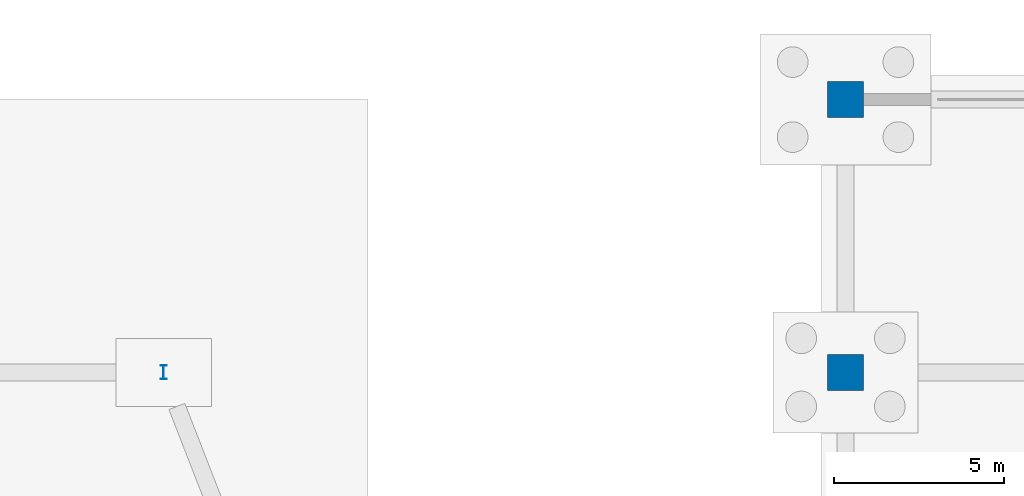
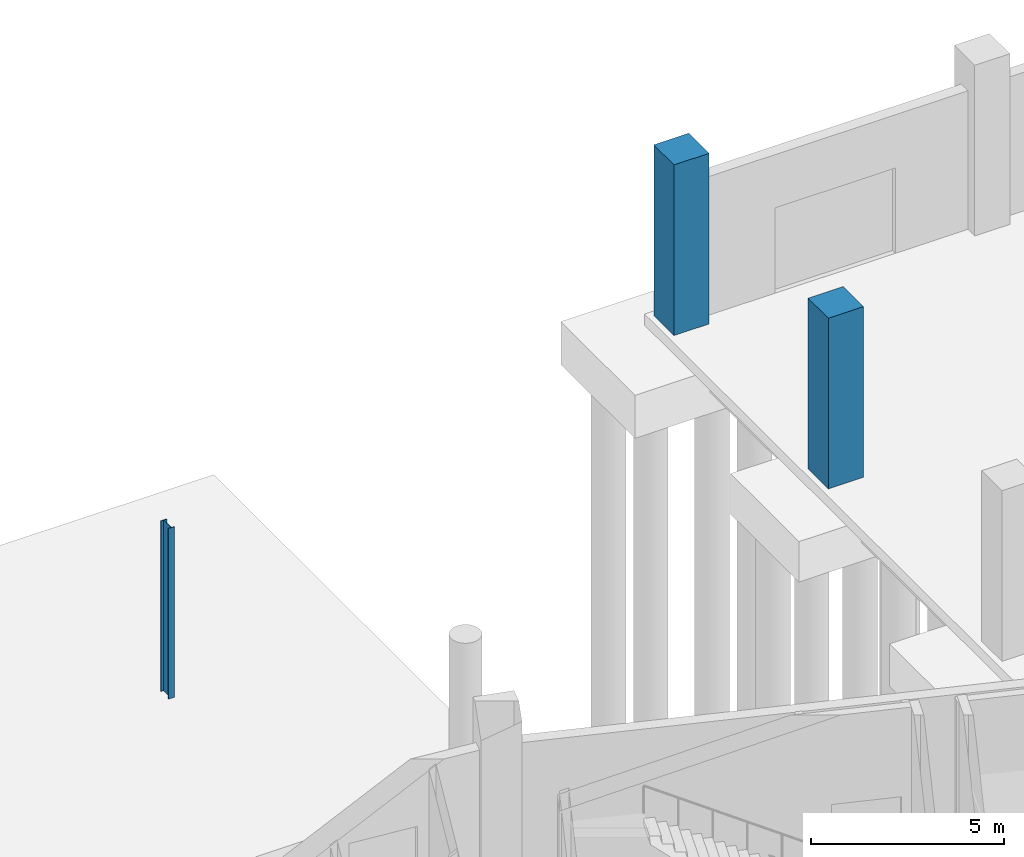
# One storey, part 25 of 103: 3 columns.
"""IFC4 building model written with IfcOpenShell, lengths in metres."""

import ifcopenshell
import ifcopenshell.guid

model = None  # the IFC model being written
_history = None  # IfcOwnerHistory: only IFC2X3 demands one
_inside = {}  # id of a spatial element -> (the spatial element, [elements in it])
_under = {}  # id of a project, library or spatial element -> (it, [spatial elements below it])
_declared = {}  # id of a project -> (the project, [libraries it declares])
_typed = {}  # id of a type object -> (the type object, [elements of that type])
_made_of = {}  # id of a material, layer set ... -> (it, [elements and type objects made of it])


def new_model(schema):
    """Start an empty IFC model of exactly this schema.

    Asked for "IFC4X3", IfcOpenShell would pick the latest addendum, in which some entities
    have other attributes; the version numbers below select the first issue.
    IFC2X3 requires an IfcOwnerHistory on every rooted entity: one is made here for all.
    """
    global model, _history
    if schema == "IFC4X3":
        model = ifcopenshell.file(schema_version=(4, 3, 0, 0))
    else:
        model = ifcopenshell.file(schema=schema)
    _inside.clear()
    _under.clear()
    _declared.clear()
    _typed.clear()
    _made_of.clear()
    _history = None
    if model.schema == "IFC2X3":
        org = make("IfcOrganization", Name="unknown")
        user = make(
            "IfcPersonAndOrganization",
            ThePerson=make("IfcPerson", FamilyName="unknown"),
            TheOrganization=org,
        )
        app = make(
            "IfcApplication",
            ApplicationDeveloper=org,
            Version="unknown",
            ApplicationFullName="unknown",
            ApplicationIdentifier="unknown",
        )
        _history = make(
            "IfcOwnerHistory",
            OwningUser=user,
            OwningApplication=app,
            ChangeAction="ADDED",
            CreationDate=0,
        )
    return model


def make(cls, **values):
    """One entity of the class cls with the attributes given. An attribute that is None is left unset."""
    return model.create_entity(
        cls, **{name: value for name, value in values.items() if value is not None}
    )


def rooted(cls, **values):
    """An entity with a GlobalId (a new one), such as an element, a storey or a relation."""
    return make(cls, GlobalId=ifcopenshell.guid.new(), OwnerHistory=_history, **values)


def si_unit(unit_type, name, prefix=None):
    """IfcSIUnit, for example si_unit("LENGTHUNIT", "METRE", prefix="MILLI")."""
    return make("IfcSIUnit", UnitType=unit_type, Prefix=prefix, Name=name)


def assignment(units):
    """IfcUnitAssignment: the units of a project."""
    return None if units is None else make("IfcUnitAssignment", Units=units)


def point(xyz):
    """IfcCartesianPoint."""
    return None if xyz is None else make("IfcCartesianPoint", Coordinates=xyz)


def direction(xyz):
    """IfcDirection."""
    return None if xyz is None else make("IfcDirection", DirectionRatios=xyz)


def frame(location, z_axis=None, x_axis=None):
    """IfcAxis2Placement3D, a coordinate frame: its origin and axes. An axis left out is left unset."""
    return make(
        "IfcAxis2Placement3D",
        Location=point(location),
        Axis=direction(z_axis),
        RefDirection=direction(x_axis),
    )


def frame_2d(location, x_axis=None):
    """IfcAxis2Placement2D, a coordinate frame in the plane: its origin and x axis."""
    return make(
        "IfcAxis2Placement2D", Location=point(location), RefDirection=direction(x_axis)
    )


def origin():
    """The frame at (0, 0, 0) with its axes left unset."""
    return frame((0.0, 0.0, 0.0))


def origin_2d():
    """The frame at (0, 0) in the plane with its x axis left unset."""
    return frame_2d((0.0, 0.0))


def place(relative_to, where):
    """IfcLocalPlacement: puts the frame where relative to a parent placement (None: the world)."""
    return make(
        "IfcLocalPlacement", PlacementRelTo=relative_to, RelativePlacement=where
    )


def context(
    kind, dimensions, precision=None, world=None, true_north=None, identifier=None
):
    """IfcGeometricRepresentationContext, for example the 3D "Model" context."""
    return make(
        "IfcGeometricRepresentationContext",
        ContextIdentifier=identifier,
        ContextType=kind,
        CoordinateSpaceDimension=dimensions,
        Precision=precision,
        WorldCoordinateSystem=world,
        TrueNorth=true_north,
    )


def subcontext(parent, identifier, kind, view, scale=None):
    """IfcGeometricRepresentationSubContext, for example "Body" below "Model"."""
    return make(
        "IfcGeometricRepresentationSubContext",
        ContextIdentifier=identifier,
        ContextType=kind,
        ParentContext=parent,
        TargetScale=scale,
        TargetView=view,
    )


def project(units=None, contexts=None):
    """IfcProject with its units and contexts."""
    return rooted(
        "IfcProject",
        Name="project",
        RepresentationContexts=contexts,
        UnitsInContext=assignment(units),
    )


def spatial(cls, under=None, at=None, **own):
    """A site, building, storey or space (cls), placed at a placement, below another one or the project."""
    s = rooted(cls, ObjectPlacement=at, **own)
    if under is not None:
        _under.setdefault(under.id(), (under, []))[1].append(s)
    return s


def profile(cls, at=None, kind="AREA", **sizes):
    """A parametric profile (cls). Its sizes go by their IFC names, for example OverallWidth=200.0."""
    return make(cls, ProfileType=kind, Position=at, **sizes)


def rectangle(**sizes):
    """IfcRectangleProfileDef."""
    return profile("IfcRectangleProfileDef", **sizes)


def i_section(**sizes):
    """IfcIShapeProfileDef."""
    return profile("IfcIShapeProfileDef", **sizes)


def extrude(swept, where, along, depth):
    """IfcExtrudedAreaSolid: the profile swept, set in the frame where, extruded along a direction by depth."""
    return make(
        "IfcExtrudedAreaSolid",
        SweptArea=swept,
        Position=where,
        ExtrudedDirection=direction(along),
        Depth=depth,
    )


def shape(context_of_items, identifier, shape_type, items):
    """IfcShapeRepresentation: the items that make up one representation, for example the "Body"."""
    return make(
        "IfcShapeRepresentation",
        ContextOfItems=context_of_items,
        RepresentationIdentifier=identifier,
        RepresentationType=shape_type,
        Items=items,
    )


def material(Name=None, Category=None):
    """IfcMaterial."""
    return make("IfcMaterial", Name=Name, Category=Category)


def material_profile(
    of_material, cross_section, Name=None, Category=None, Priority=None
):
    """IfcMaterialProfile: a cross section and its material."""
    return make(
        "IfcMaterialProfile",
        Name=Name,
        Material=of_material,
        Profile=cross_section,
        Priority=Priority,
        Category=Category,
    )


def profile_set(profiles, Name=None, composite=None):
    """IfcMaterialProfileSet."""
    return make(
        "IfcMaterialProfileSet",
        Name=Name,
        MaterialProfiles=profiles,
        CompositeProfile=composite,
    )


def made_of(thing, what):
    """Note that an element or type object is made of a material, layer set ...; save() writes the relation."""
    if what is not None:
        _made_of.setdefault(what.id(), (what, []))[1].append(thing)
    return thing


def type_object(cls, material=None, **own):
    """A type object (cls), such as IfcWallType, which elements share."""
    return made_of(rooted(cls, **own), material)


def element(
    cls,
    number,
    at=None,
    inside=None,
    cuts=None,
    type_object=None,
    material=None,
    context=None,
    identifier="Body",
    shape_type=None,
    held_by="IfcProductDefinitionShape",
    body=None,
    shapes=None,
    **own,
):
    """One element of the class cls, such as IfcWall. Its Tag is "e" and its number.

    at: its placement. inside: the storey or other place that contains it. cuts: it is an
    opening in that element (IfcRelVoidsElement). A single representation is given by context,
    identifier, shape_type and body (its items); several are given by shapes. held_by: the class
    of the entity that holds the representations. save() writes the other relations.
    """
    e = rooted(cls, Tag="e%d" % number, ObjectPlacement=at, **own)
    if body is not None:
        shapes = [shape(context, identifier, shape_type, body)]
    if shapes is not None:
        e.Representation = make(held_by, Representations=shapes)
    if inside is not None:
        _inside.setdefault(inside.id(), (inside, []))[1].append(e)
    if cuts is not None:
        rooted(
            "IfcRelVoidsElement", RelatingBuildingElement=cuts, RelatedOpeningElement=e
        )
    if type_object is not None:
        _typed.setdefault(type_object.id(), (type_object, []))[1].append(e)
    return made_of(e, material)


def aggregate(whole, parts):
    """IfcRelAggregates: a whole, such as a stair, and the parts it consists of."""
    return rooted("IfcRelAggregates", RelatingObject=whole, RelatedObjects=parts)


def save(model, path):
    """Write the relations noted so far, then the file.

    IfcRelAggregates (storeys below a building ...), IfcRelContainedInSpatialStructure (elements
    in a storey), IfcRelDefinesByType, IfcRelAssociatesMaterial and IfcRelDeclares: one each for
    every whole, place, type object, material and project.
    """
    for whole, parts in _under.values():
        aggregate(whole, parts)
    for where, things in _inside.values():
        rooted(
            "IfcRelContainedInSpatialStructure",
            RelatedElements=things,
            RelatingStructure=where,
        )
    for kind, things in _typed.values():
        rooted("IfcRelDefinesByType", RelatedObjects=things, RelatingType=kind)
    for what, things in _made_of.values():
        rooted("IfcRelAssociatesMaterial", RelatedObjects=things, RelatingMaterial=what)
    for by, libraries in _declared.values():
        rooted("IfcRelDeclares", RelatingContext=by, RelatedDefinitions=libraries)
    model.write(path)


model = new_model("IFC4")

# Units and contexts
model_context = context("Model", 3, precision=1e-05, world=origin(), true_north=direction((0.0, 1.0)))
body_context = subcontext(model_context, "Body", "Model", "MODEL_VIEW")
ifc_project = project(units=[si_unit("LENGTHUNIT", "METRE"), si_unit("AREAUNIT", "SQUARE_METRE"), si_unit("VOLUMEUNIT", "CUBIC_METRE"), si_unit("PLANEANGLEUNIT", "RADIAN"), si_unit("MASSUNIT", "GRAM", prefix="KILO")], contexts=[model_context])

# Site, building, storey
site_placement = place(None, origin())
site = spatial("IfcSite", under=ifc_project, at=site_placement, CompositionType="ELEMENT")
building_placement = place(site_placement, origin())
building = spatial("IfcBuilding", under=site, at=building_placement, Name="Zevraka Park Crest Stadium", CompositionType="ELEMENT")
storey_placement = place(building_placement, origin())
storey = spatial("IfcBuildingStorey", under=building, at=storey_placement, Name="L00", CompositionType="ELEMENT", Elevation=0.0)

# Columns
ifc_material_1 = material(Name="Concrete C40/50", Category="concrete")
ifc_material_profile_1 = material_profile(ifc_material_1, rectangle(XDim=1.050048828125, YDim=1.050048828125, at=origin_2d()), Name="RC 1050x1050")
ifc_profile_set_1 = profile_set([ifc_material_profile_1], Name="Concrete C40/50")
column_type_1 = type_object("IfcColumnType", Name="C03", PredefinedType="COLUMN", material=ifc_profile_set_1)
for number, where, z_axis, x_axis, name in (
    (1, (152.0, 176.0, 0.0), (0.0, 0.0, 1.0), (1.0, 0.0, 0.0), "Wing Column C03 L00-17/V"),
    (2, (152.0, 184.0, 0.0), (0.0, 0.0, 1.0), (1.0, 0.0, 0.0), "Wing Column C03 L00-17/W"),
):
    element("IfcColumn", number, at=place(storey_placement, frame(where, z_axis=z_axis, x_axis=x_axis)), inside=storey, type_object=column_type_1, Name=name, PredefinedType="COLUMN", context=body_context, shape_type="SweptSolid", body=[
        extrude(rectangle(XDim=1.050048828125, YDim=1.050048828125, at=origin_2d()), origin(), (0.0, 0.0, 1.0), 5.39990234375),
    ])
ifc_material_2 = material(Name="Steel S355", Category="steel")
ifc_material_profile_2 = material_profile(ifc_material_2, i_section(OverallWidth=0.178955078125, OverallDepth=0.408935546875, WebThickness=0.0087890625, FlangeThickness=0.014404296875, at=origin_2d()), Name="UKB 406x178x67")
ifc_profile_set_2 = profile_set([ifc_material_profile_2], Name="Steel S355")
column_type_2 = type_object("IfcColumnType", Name="C14", PredefinedType="COLUMN", material=ifc_profile_set_2)
column_placement = place(storey_placement, frame((132.0, 176.0, 0.0), z_axis=(0.0, 0.0, 1.0), x_axis=(1.0, 0.0, 0.0)))
element("IfcColumn", 3, at=column_placement, inside=storey, type_object=column_type_2, Name="Colonnade Post C14 PAD-N6", PredefinedType="COLUMN", context=body_context, shape_type="SweptSolid", body=[
    extrude(i_section(OverallWidth=0.178955078125, OverallDepth=0.408935546875, WebThickness=0.0087890625, FlangeThickness=0.014404296875, at=origin_2d()), origin(), (0.0, 0.0, 1.0), 5.39990234375),
])

save(model, "model.ifc")
